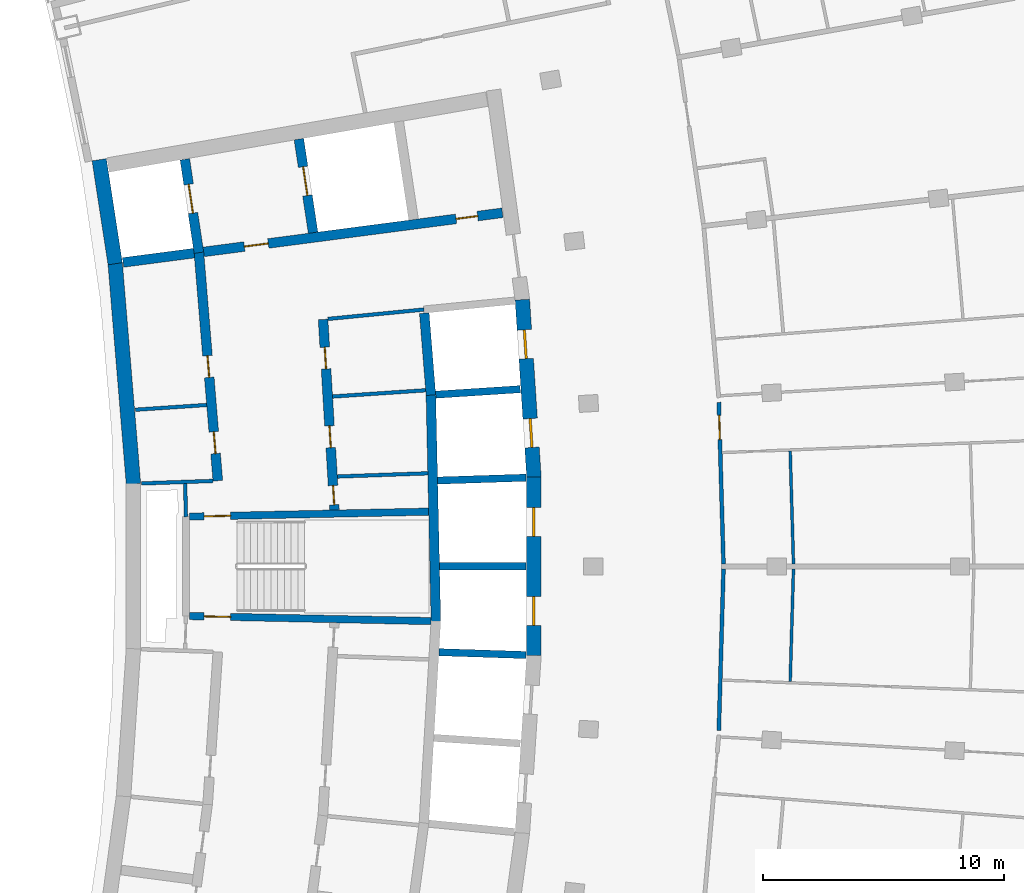
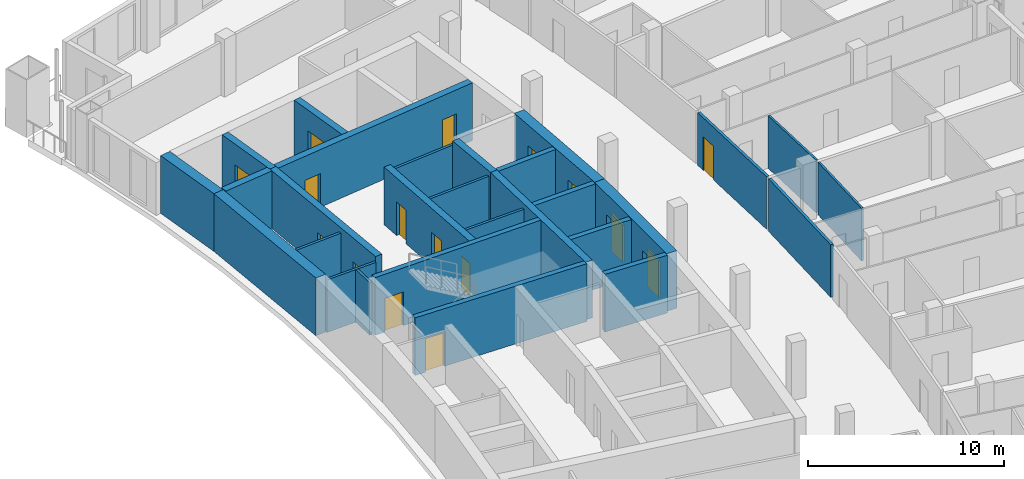
# One storey, part 12 of 19: 28 walls, 16 doors, 16 openings.
"""IFC4 building model written with IfcOpenShell, lengths in metres."""

from ifc_helpers import new_model, si_unit, direction, frame, frame_2d, origin, place, context, subcontext, project, spatial, rectangle, extrude, material, layer, layer_set, type_object, element, fill, save


model = new_model("IFC4")

# Units and contexts
model_context = context("Model", 3, precision=1e-05, world=origin(), true_north=direction((0.0, 1.0)))
body_context = subcontext(model_context, "Body", "Model", "MODEL_VIEW")
ifc_project = project(units=[si_unit("LENGTHUNIT", "METRE"), si_unit("AREAUNIT", "SQUARE_METRE"), si_unit("VOLUMEUNIT", "CUBIC_METRE"), si_unit("PLANEANGLEUNIT", "RADIAN"), si_unit("MASSUNIT", "GRAM", prefix="KILO")], contexts=[model_context])

# Site, building, storey
site_placement = place(None, origin())
site = spatial("IfcSite", under=ifc_project, at=site_placement, CompositionType="ELEMENT")
building_placement = place(site_placement, origin())
building = spatial("IfcBuilding", under=site, at=building_placement, Name="Alderwake Tower", CompositionType="ELEMENT")
storey_placement = place(building_placement, frame((0.0, 0.0, 192.800048828125)))
storey = spatial("IfcBuildingStorey", under=building, at=storey_placement, Name="L47", CompositionType="ELEMENT", Elevation=192.800048828125)

# Walls
ifc_material_1 = material(Name="Gypsum shaft wall system, rated")
ifc_layer_1 = layer(ifc_material_1, 0.14990234375)
ifc_layer_set_1 = layer_set([ifc_layer_1], Name="Core riser partition 150")
wall_type_1 = type_object("IfcWallType", Name="Core riser partition 150", PredefinedType="PARTITIONING", material=ifc_layer_set_1)
wall_1_placement = place(storey_placement, frame((25.191162109375, 64.723388671875, 0.0), z_axis=(0.0, 0.0, 1.0), x_axis=(0.999373256208, 0.035399078746, 0.0)))
element("IfcWall", 1, at=wall_1_placement, inside=storey, type_object=wall_type_1, Name="CW/L47/PR+37_+86", PredefinedType="PARTITIONING", context=body_context, shape_type="SweptSolid", body=[
    extrude(rectangle(XDim=3.751953125, YDim=0.14990234375, at=frame_2d((1.8759765625, 0.0))), origin(), (0.0, 0.0, 1.0), 3.280029296875),
])
ifc_material_2 = material(Name="Gypsum shaft wall system, rated")
ifc_layer_2 = layer(ifc_material_2, 0.14990234375)
ifc_layer_set_2 = layer_set([ifc_layer_2], Name="Core room partition 150")
wall_type_2 = type_object("IfcWallType", Name="Core room partition 150", PredefinedType="PARTITIONING", material=ifc_layer_set_2)
wall_2_placement = place(storey_placement, frame((18.918701171875, 63.05517578125, 0.0), z_axis=(0.0, 0.0, 1.0), x_axis=(-0.027791791559, 0.99961373356, 0.0)))
element("IfcWall", 2, at=wall_2_placement, inside=storey, type_object=wall_type_2, Name="CW/L47/PA+24_+22", PredefinedType="PARTITIONING", context=body_context, shape_type="SweptSolid", body=[
    extrude(rectangle(XDim=1.370361328125, YDim=0.14990234375, at=frame_2d((0.68505859375, 0.0))), origin(), (0.0, 0.0, 1.0), 3.280029296875),
])
wall_3_placement = place(storey_placement, frame((17.0693359375, 64.43603515625, 0.0), z_axis=(0.0, 0.0, 1.0), x_axis=(0.999374945052, 0.03535136775, 0.0)))
element("IfcWall", 3, at=wall_3_placement, inside=storey, type_object=wall_type_2, Name="CW/L47/PR+37_+0", PredefinedType="PARTITIONING", context=body_context, shape_type="SweptSolid", body=[
    extrude(rectangle(XDim=2.9697265625, YDim=0.14990234375, at=frame_2d((1.48486328125, 0.0))), origin(), (0.0, 0.0, 1.0), 3.280029296875),
])
wall_4_placement = place(storey_placement, frame((16.81640625, 67.490478515625, 0.0), z_axis=(0.0, 0.0, 1.0), x_axis=(0.997758859926, 0.066912311566, 0.0)))
element("IfcWall", 4, at=wall_4_placement, inside=storey, type_object=wall_type_2, Name="CW/L47/PR+70_+0", PredefinedType="PARTITIONING", context=body_context, shape_type="SweptSolid", body=[
    extrude(rectangle(XDim=2.96630859375, YDim=0.14990234375, at=frame_2d((1.483154296875, 0.0))), origin(), (0.0, 0.0, 1.0), 3.280029296875),
])
wall_5_placement = place(storey_placement, frame((24.992431640625, 68.038818359375, 0.0), z_axis=(0.0, 0.0, 1.0), x_axis=(0.997760236964, 0.066891774789, 0.0)))
element("IfcWall", 5, at=wall_5_placement, inside=storey, type_object=wall_type_2, Name="CW/L47/PR+70_+86", PredefinedType="PARTITIONING", context=body_context, shape_type="SweptSolid", body=[
    extrude(rectangle(XDim=3.86865234375, YDim=0.14990234375, at=frame_2d((1.934326171875, 0.0))), origin(), (0.0, 0.0, 1.0), 3.280029296875),
])
wall_6_placement = place(storey_placement, frame((24.799560546875, 71.2548828125, 0.0), z_axis=(0.0, 0.0, 1.0), x_axis=(0.995250000627, 0.097352125046, 0.0)))
element("IfcWall", 6, at=wall_6_placement, inside=storey, type_object=wall_type_2, Name="CW/L47/PR+102_+86", PredefinedType="PARTITIONING", context=body_context, shape_type="SweptSolid", body=[
    extrude(rectangle(XDim=4.0, YDim=0.14990234375, at=frame_2d((2.0, 0.0))), origin(), (0.0, 0.0, 1.0), 3.280029296875),
])
ifc_material_3 = material(Name="Concrete C70/85", Category="concrete")
ifc_layer_3 = layer(ifc_material_3, 0.60009765625)
ifc_layer_set_3 = layer_set([ifc_layer_3], Name="Core wall outer 600 C70-85")
wall_type_3 = type_object("IfcWallType", Name="Core wall outer 600 C70-85", PredefinedType="SHEAR", material=ifc_layer_set_3)
wall_7_placement = place(storey_placement, frame((16.740478515625, 64.411376953125, 0.0), z_axis=(0.0, 0.0, 1.0), x_axis=(-0.082614307012, 0.996581595393, 0.0)))
element("IfcWall", 7, at=wall_7_placement, inside=storey, type_object=wall_type_3, Name="Core wall CW.035", PredefinedType="SHEAR", context=body_context, shape_type="SweptSolid", body=[
    extrude(rectangle(XDim=9.184814453125, YDim=0.60009765625, at=frame_2d((4.59228515625, 0.0))), origin(), (0.0, 0.0, 1.0), 3.599853515625),
])
wall_8_placement = place(storey_placement, frame((15.984130859375, 73.54296875, 0.0), z_axis=(0.0, 0.0, 1.0), x_axis=(-0.151922578304, 0.988392396876, 0.0)))
element("IfcWall", 8, at=wall_8_placement, inside=storey, type_object=wall_type_3, Name="Core wall CW.034", PredefinedType="SHEAR", context=body_context, shape_type="SweptSolid", body=[
    extrude(rectangle(XDim=4.361328125, YDim=0.60009765625, at=frame_2d((2.1806640625, 0.0))), origin(), (0.0, 0.0, 1.0), 3.599853515625),
])

# Wall, openings, doors
wall_9_placement = place(storey_placement, frame((33.340087890625, 57.30322265625, 0.0), z_axis=(0.0, 0.0, 1.0), x_axis=(0.0, 1.0, 0.0)))
wall_9 = element("IfcWall", 9, at=wall_9_placement, inside=storey, type_object=wall_type_3, Name="Core wall CW.018", PredefinedType="SHEAR", context=body_context, shape_type="SweptSolid", body=[
    extrude(rectangle(XDim=7.3935546875, YDim=0.60009765625, at=frame_2d((3.69677734375, 0.0))), origin(), (0.0, 0.0, 1.0), 3.599853515625),
])
opening_1_placement = place(wall_9_placement, frame((1.25341796875, 0.0, 0.0)))
opening_1 = element("IfcOpeningElement", 10, at=opening_1_placement, cuts=wall_9, Name="Opening LD-HP3", PredefinedType="OPENING", context=body_context, shape_type="SweptSolid", body=[
    extrude(rectangle(XDim=1.199951171875, YDim=2.300048828125, at=frame_2d((0.60009765625, 1.14990234375))), frame((0.0, 0.31005859375, 0.0), z_axis=(0.0, -1.0, 0.0), x_axis=(1.0, 0.0, 0.0)), (0.0, 0.0, 1.0), 0.6201171875),
])
opening_2_placement = place(wall_9_placement, frame((4.940185546875, 0.0, 0.0)))
opening_2 = element("IfcOpeningElement", 11, at=opening_2_placement, cuts=wall_9, Name="Opening LD-HP4", PredefinedType="OPENING", context=body_context, shape_type="SweptSolid", body=[
    extrude(rectangle(XDim=1.199951171875, YDim=2.300048828125, at=frame_2d((0.60009765625, 1.14990234375))), frame((0.0, 0.31005859375, 0.0), z_axis=(0.0, -1.0, 0.0), x_axis=(1.0, 0.0, 0.0)), (0.0, 0.0, 1.0), 0.6201171875),
])
ifc_material_4 = material(Name="Stainless steel sliding leaf", Category="steel")
door_type_1 = type_object("IfcDoorType", Name="Lift landing door 1200", OperationType="SLIDING_TO_LEFT", PredefinedType="DOOR", material=ifc_material_4)
door_1_placement = place(opening_1_placement, origin())
door_1 = element("IfcDoor", 12, at=door_1_placement, inside=storey, type_object=door_type_1, Name="Lift landing door HP3", OperationType="SLIDING_TO_LEFT", OverallHeight=2.300048828125, OverallWidth=1.199951171875, PredefinedType="DOOR", context=body_context, shape_type="SweptSolid", body=[
    extrude(rectangle(XDim=1.199951171875, YDim=2.300048828125, at=frame_2d((0.60009765625, 1.14990234375))), frame((0.0, 0.050048828125, 0.0), z_axis=(0.0, -1.0, 0.0), x_axis=(1.0, 0.0, 0.0)), (0.0, 0.0, 1.0), 0.10009765625),
])
fill(opening_1, door_1)
door_2_placement = place(opening_2_placement, origin())
door_2 = element("IfcDoor", 13, at=door_2_placement, inside=storey, type_object=door_type_1, Name="Lift landing door HP4", OperationType="SLIDING_TO_LEFT", OverallHeight=2.300048828125, OverallWidth=1.199951171875, PredefinedType="DOOR", context=body_context, shape_type="SweptSolid", body=[
    extrude(rectangle(XDim=1.199951171875, YDim=2.300048828125, at=frame_2d((0.60009765625, 1.14990234375))), frame((0.0, 0.050048828125, 0.0), z_axis=(0.0, -1.0, 0.0), x_axis=(1.0, 0.0, 0.0)), (0.0, 0.0, 1.0), 0.10009765625),
])
fill(opening_2, door_2)

wall_10_placement = place(storey_placement, frame((33.3408203125, 64.67626953125, 0.0), z_axis=(0.0, 0.0, 1.0), x_axis=(-0.065013379938, 0.997884392317, 0.0)))
wall_10 = element("IfcWall", 14, at=wall_10_placement, inside=storey, type_object=wall_type_3, Name="Core wall CW.015", PredefinedType="SHEAR", context=body_context, shape_type="SweptSolid", body=[
    extrude(rectangle(XDim=7.39404296875, YDim=0.60009765625, at=frame_2d((3.697021484375, 0.0))), origin(), (0.0, 0.0, 1.0), 3.599853515625),
])
opening_3_placement = place(wall_10_placement, frame((1.253173828125, 0.0, 0.0)))
opening_3 = element("IfcOpeningElement", 15, at=opening_3_placement, cuts=wall_10, Name="Opening LD-HP5", PredefinedType="OPENING", context=body_context, shape_type="SweptSolid", body=[
    extrude(rectangle(XDim=1.199951171875, YDim=2.300048828125, at=frame_2d((0.60009765625, 1.14990234375))), frame((0.0, 0.31005859375, 0.0), z_axis=(0.0, -1.0, 0.0), x_axis=(1.0, 0.0, 0.0)), (0.0, 0.0, 1.0), 0.6201171875),
])
opening_4_placement = place(wall_10_placement, frame((4.940185546875, 0.0, 0.0)))
opening_4 = element("IfcOpeningElement", 16, at=opening_4_placement, cuts=wall_10, Name="Opening LD-HP6", PredefinedType="OPENING", context=body_context, shape_type="SweptSolid", body=[
    extrude(rectangle(XDim=1.199951171875, YDim=2.300048828125, at=frame_2d((0.60009765625, 1.14990234375))), frame((0.0, 0.31005859375, 0.0), z_axis=(0.0, -1.0, 0.0), x_axis=(1.0, 0.0, 0.0)), (0.0, 0.0, 1.0), 0.6201171875),
])
door_3_placement = place(opening_3_placement, origin())
door_3 = element("IfcDoor", 17, at=door_3_placement, inside=storey, type_object=door_type_1, Name="Lift landing door HP5", OperationType="SLIDING_TO_LEFT", OverallHeight=2.300048828125, OverallWidth=1.199951171875, PredefinedType="DOOR", context=body_context, shape_type="SweptSolid", body=[
    extrude(rectangle(XDim=1.199951171875, YDim=2.300048828125, at=frame_2d((0.60009765625, 1.14990234375))), frame((0.0, 0.050048828125, 0.0), z_axis=(0.0, -1.0, 0.0), x_axis=(1.0, 0.0, 0.0)), (0.0, 0.0, 1.0), 0.10009765625),
])
fill(opening_3, door_3)
door_4_placement = place(opening_4_placement, origin())
door_4 = element("IfcDoor", 18, at=door_4_placement, inside=storey, type_object=door_type_1, Name="Lift landing door HP6", OperationType="SLIDING_TO_LEFT", OverallHeight=2.300048828125, OverallWidth=1.199951171875, PredefinedType="DOOR", context=body_context, shape_type="SweptSolid", body=[
    extrude(rectangle(XDim=1.199951171875, YDim=2.300048828125, at=frame_2d((0.60009765625, 1.14990234375))), frame((0.0, 0.050048828125, 0.0), z_axis=(0.0, -1.0, 0.0), x_axis=(1.0, 0.0, 0.0)), (0.0, 0.0, 1.0), 0.10009765625),
])
fill(opening_4, door_4)

# Walls
ifc_material_5 = material(Name="Concrete C70/85", Category="concrete")
ifc_layer_4 = layer(ifc_material_5, 0.300048828125)
ifc_layer_set_4 = layer_set([ifc_layer_4], Name="Core wall shaft 300 C70-85")
wall_type_4 = type_object("IfcWallType", Name="Core wall shaft 300 C70-85", PredefinedType="SHEAR", material=ifc_layer_set_4)
wall_11_placement = place(storey_placement, frame((29.400634765625, 57.441650390625, 0.0), z_axis=(0.0, 0.0, 1.0), x_axis=(0.999471151072, -0.032517966969, 0.0)))
element("IfcWall", 19, at=wall_11_placement, inside=storey, type_object=wall_type_4, Name="Core wall CW.075", PredefinedType="SHEAR", context=body_context, shape_type="SweptSolid", body=[
    extrude(rectangle(XDim=3.611328125, YDim=0.300048828125, at=frame_2d((1.8056640625, 0.0))), origin(), (0.0, 0.0, 1.0), 3.599853515625),
])
wall_12_placement = place(storey_placement, frame((29.426025390625, 61.0, 0.0), z_axis=(0.0, 0.0, 1.0), x_axis=(1.0, 0.0, 0.0)))
element("IfcWall", 20, at=wall_12_placement, inside=storey, type_object=wall_type_4, Name="Core wall CW.048", PredefinedType="SHEAR", context=body_context, shape_type="SweptSolid", body=[
    extrude(rectangle(XDim=3.583984375, YDim=0.300048828125, at=frame_2d((1.7919921875, 0.0))), origin(), (0.0, 0.0, 1.0), 3.599853515625),
])
wall_13_placement = place(storey_placement, frame((29.347412109375, 64.556396484375, 0.0), z_axis=(0.0, 0.0, 1.0), x_axis=(0.99946918462, 0.032578351638, 0.0)))
element("IfcWall", 21, at=wall_13_placement, inside=storey, type_object=wall_type_4, Name="Core wall CW.058", PredefinedType="SHEAR", context=body_context, shape_type="SweptSolid", body=[
    extrude(rectangle(XDim=3.66455078125, YDim=0.300048828125, at=frame_2d((1.832275390625, 0.0))), origin(), (0.0, 0.0, 1.0), 3.599853515625),
])
wall_14_placement = place(storey_placement, frame((29.268798828125, 68.115478515625, 0.0), z_axis=(0.0, 0.0, 1.0), x_axis=(0.997887366571, 0.064967712281, 0.0)))
element("IfcWall", 22, at=wall_14_placement, inside=storey, type_object=wall_type_4, Name="Core wall CW.061", PredefinedType="SHEAR", context=body_context, shape_type="SweptSolid", body=[
    extrude(rectangle(XDim=3.509765625, YDim=0.300048828125, at=frame_2d((1.7548828125, 0.0))), origin(), (0.0, 0.0, 1.0), 3.599853515625),
])

# Wall, openings, doors
ifc_material_6 = material(Name="Concrete C70/85", Category="concrete")
ifc_layer_5 = layer(ifc_material_6, 0.39990234375)
ifc_layer_set_5 = layer_set([ifc_layer_5], Name="Core wall spine 400 C70-85")
wall_type_5 = type_object("IfcWallType", Name="Core wall spine 400 C70-85", PredefinedType="SHEAR", material=ifc_layer_set_5)
wall_15_placement = place(storey_placement, frame((19.452392578125, 74.014892578125, 0.0), z_axis=(0.0, 0.0, 1.0), x_axis=(0.082628585297, -0.996580411654, 0.0)))
wall_15 = element("IfcWall", 23, at=wall_15_placement, inside=storey, type_object=wall_type_5, Name="Core wall CW.031", PredefinedType="SHEAR", context=body_context, shape_type="SweptSolid", body=[
    extrude(rectangle(XDim=9.499267578125, YDim=0.39990234375, at=frame_2d((4.74951171875, 0.0))), origin(), (0.0, 0.0, 1.0), 3.599853515625),
])
opening_5_placement = place(wall_15_placement, frame((7.468017578125, 0.0, 0.0)))
opening_5 = element("IfcOpeningElement", 24, at=opening_5_placement, cuts=wall_15, Name="Opening C053", PredefinedType="OPENING", context=body_context, shape_type="SweptSolid", body=[
    extrude(rectangle(XDim=0.89990234375, YDim=2.10009765625, at=frame_2d((0.449951171875, 1.050048828125))), frame((0.0, 0.2099609375, 0.0), z_axis=(0.0, -1.0, 0.0), x_axis=(1.0, 0.0, 0.0)), (0.0, 0.0, 1.0), 0.419921875),
])
opening_6_placement = place(wall_15_placement, frame((4.30322265625, 0.0, 0.0)))
opening_6 = element("IfcOpeningElement", 25, at=opening_6_placement, cuts=wall_15, Name="Opening C054", PredefinedType="OPENING", context=body_context, shape_type="SweptSolid", body=[
    extrude(rectangle(XDim=0.89990234375, YDim=2.10009765625, at=frame_2d((0.449951171875, 1.050048828125))), frame((0.0, 0.2099609375, 0.0), z_axis=(0.0, -1.0, 0.0), x_axis=(1.0, 0.0, 0.0)), (0.0, 0.0, 1.0), 0.419921875),
])
ifc_material_7 = material(Name="Painted steel leaf", Category="steel")
door_type_2 = type_object("IfcDoorType", Name="Core room door 900", OperationType="SINGLE_SWING_LEFT", PredefinedType="DOOR", material=ifc_material_7)
door_5_placement = place(opening_5_placement, origin())
door_5 = element("IfcDoor", 26, at=door_5_placement, inside=storey, type_object=door_type_2, Name="Room door", OperationType="SINGLE_SWING_LEFT", OverallHeight=2.10009765625, OverallWidth=0.89990234375, PredefinedType="DOOR", context=body_context, shape_type="SweptSolid", body=[
    extrude(rectangle(XDim=0.89990234375, YDim=2.10009765625, at=frame_2d((0.449951171875, 1.050048828125))), frame((0.0, 0.02490234375, 0.0), z_axis=(0.0, -1.0, 0.0), x_axis=(1.0, 0.0, 0.0)), (0.0, 0.0, 1.0), 0.050048828125),
])
fill(opening_5, door_5)
door_6_placement = place(opening_6_placement, origin())
door_6 = element("IfcDoor", 27, at=door_6_placement, inside=storey, type_object=door_type_2, Name="Room door", OperationType="SINGLE_SWING_RIGHT", OverallHeight=2.10009765625, OverallWidth=0.89990234375, PredefinedType="DOOR", context=body_context, shape_type="SweptSolid", body=[
    extrude(rectangle(XDim=0.89990234375, YDim=2.10009765625, at=frame_2d((0.449951171875, 1.050048828125))), frame((0.0, 0.02490234375, 0.0), z_axis=(0.0, -1.0, 0.0), x_axis=(1.0, 0.0, 0.0)), (0.0, 0.0, 1.0), 0.050048828125),
])
fill(opening_6, door_6)

# Wall, opening, door
wall_16_placement = place(storey_placement, frame((19.4541015625, 74.00048828125, 0.0), z_axis=(0.0, 0.0, 1.0), x_axis=(-0.148977743105, 0.98884054936, 0.0)))
wall_16 = element("IfcWall", 28, at=wall_16_placement, inside=storey, type_object=wall_type_5, Name="Core wall CW.030", PredefinedType="SHEAR", context=body_context, shape_type="SweptSolid", body=[
    extrude(rectangle(XDim=3.9150390625, YDim=0.39990234375, at=frame_2d((1.95751953125, 0.0))), origin(), (0.0, 0.0, 1.0), 3.599853515625),
])
opening_7_placement = place(wall_16_placement, frame((1.6611328125, 0.0, 0.0)))
opening_7 = element("IfcOpeningElement", 29, at=opening_7_placement, cuts=wall_16, Name="Opening LD-FF1", PredefinedType="OPENING", context=body_context, shape_type="SweptSolid", body=[
    extrude(rectangle(XDim=1.199951171875, YDim=2.300048828125, at=frame_2d((0.60009765625, 1.14990234375))), frame((0.0, 0.2099609375, 0.0), z_axis=(0.0, -1.0, 0.0), x_axis=(1.0, 0.0, 0.0)), (0.0, 0.0, 1.0), 0.419921875),
])
door_7_placement = place(opening_7_placement, origin())
door_7 = element("IfcDoor", 30, at=door_7_placement, inside=storey, type_object=door_type_1, Name="Lift landing door FF1", OperationType="SLIDING_TO_LEFT", OverallHeight=2.300048828125, OverallWidth=1.199951171875, PredefinedType="DOOR", context=body_context, shape_type="SweptSolid", body=[
    extrude(rectangle(XDim=1.199951171875, YDim=2.300048828125, at=frame_2d((0.60009765625, 1.14990234375))), frame((0.0, 0.02490234375, 0.0), z_axis=(0.0, -1.0, 0.0), x_axis=(1.0, 0.0, 0.0)), (0.0, 0.0, 1.0), 0.050048828125),
])
fill(opening_7, door_7)

# Wall, openings, doors
wall_17_placement = place(storey_placement, frame((25.073974609375, 63.335693359375, 0.0), z_axis=(0.0, 0.0, 1.0), x_axis=(-0.059848641072, 0.998207463487, 0.0)))
wall_17 = element("IfcWall", 31, at=wall_17_placement, inside=storey, type_object=wall_type_5, Name="Core wall CW.045", PredefinedType="SHEAR", context=body_context, shape_type="SweptSolid", body=[
    extrude(rectangle(XDim=7.913818359375, YDim=0.39990234375, at=frame_2d((3.95703125, 0.0))), origin(), (0.0, 0.0, 1.0), 3.599853515625),
])
opening_8_placement = place(wall_17_placement, frame((0.216064453125, 0.0, 0.0)))
opening_8 = element("IfcOpeningElement", 32, at=opening_8_placement, cuts=wall_17, Name="Opening C005", PredefinedType="OPENING", context=body_context, shape_type="SweptSolid", body=[
    extrude(rectangle(XDim=0.800048828125, YDim=2.0, at=frame_2d((0.39990234375, 1.0))), frame((0.0, 0.2099609375, 0.0), z_axis=(0.0, -1.0, 0.0), x_axis=(1.0, 0.0, 0.0)), (0.0, 0.0, 1.0), 0.419921875),
])
opening_9_placement = place(wall_17_placement, frame((5.856201171875, 0.0, 0.0)))
opening_9 = element("IfcOpeningElement", 33, at=opening_9_placement, cuts=wall_17, Name="Opening C023", PredefinedType="OPENING", context=body_context, shape_type="SweptSolid", body=[
    extrude(rectangle(XDim=0.89990234375, YDim=2.10009765625, at=frame_2d((0.449951171875, 1.050048828125))), frame((0.0, 0.2099609375, 0.0), z_axis=(0.0, -1.0, 0.0), x_axis=(1.0, 0.0, 0.0)), (0.0, 0.0, 1.0), 0.419921875),
])
opening_10_placement = place(wall_17_placement, frame((2.590087890625, 0.0, 0.0)))
opening_10 = element("IfcOpeningElement", 34, at=opening_10_placement, cuts=wall_17, Name="Opening C059", PredefinedType="OPENING", context=body_context, shape_type="SweptSolid", body=[
    extrude(rectangle(XDim=0.89990234375, YDim=2.10009765625, at=frame_2d((0.449951171875, 1.050048828125))), frame((0.0, 0.2099609375, 0.0), z_axis=(0.0, -1.0, 0.0), x_axis=(1.0, 0.0, 0.0)), (0.0, 0.0, 1.0), 0.419921875),
])
door_8_placement = place(opening_9_placement, origin())
door_8 = element("IfcDoor", 35, at=door_8_placement, inside=storey, type_object=door_type_2, Name="Room door", OperationType="SINGLE_SWING_RIGHT", OverallHeight=2.10009765625, OverallWidth=0.89990234375, PredefinedType="DOOR", context=body_context, shape_type="SweptSolid", body=[
    extrude(rectangle(XDim=0.89990234375, YDim=2.10009765625, at=frame_2d((0.449951171875, 1.050048828125))), frame((0.0, 0.02490234375, 0.0), z_axis=(0.0, -1.0, 0.0), x_axis=(1.0, 0.0, 0.0)), (0.0, 0.0, 1.0), 0.050048828125),
])
fill(opening_9, door_8)
door_9_placement = place(opening_10_placement, origin())
door_9 = element("IfcDoor", 36, at=door_9_placement, inside=storey, type_object=door_type_2, Name="Room door", OperationType="SINGLE_SWING_LEFT", OverallHeight=2.10009765625, OverallWidth=0.89990234375, PredefinedType="DOOR", context=body_context, shape_type="SweptSolid", body=[
    extrude(rectangle(XDim=0.89990234375, YDim=2.10009765625, at=frame_2d((0.449951171875, 1.050048828125))), frame((0.0, 0.02490234375, 0.0), z_axis=(0.0, -1.0, 0.0), x_axis=(1.0, 0.0, 0.0)), (0.0, 0.0, 1.0), 0.050048828125),
])
fill(opening_10, door_9)
ifc_material_8 = material(Name="Painted steel leaf, rated", Category="steel")
door_type_3 = type_object("IfcDoorType", Name="Riser access door 800", OperationType="SINGLE_SWING_LEFT", PredefinedType="DOOR", material=ifc_material_8)
door_10_placement = place(opening_8_placement, origin())
door_10 = element("IfcDoor", 37, at=door_10_placement, inside=storey, type_object=door_type_3, Name="Riser access door", OperationType="SINGLE_SWING_LEFT", OverallHeight=2.0, OverallWidth=0.800048828125, PredefinedType="DOOR", context=body_context, shape_type="SweptSolid", body=[
    extrude(rectangle(XDim=0.800048828125, YDim=2.0, at=frame_2d((0.39990234375, 1.0))), frame((0.0, 0.02490234375, 0.0), z_axis=(0.0, -1.0, 0.0), x_axis=(1.0, 0.0, 0.0)), (0.0, 0.0, 1.0), 0.050048828125),
])
fill(opening_8, door_10)

# Wall, opening, door
wall_18_placement = place(storey_placement, frame((24.186279296875, 74.82861328125, 0.0), z_axis=(0.0, 0.0, 1.0), x_axis=(-0.150092938275, 0.988671891924, 0.0)))
wall_18 = element("IfcWall", 38, at=wall_18_placement, inside=storey, type_object=wall_type_5, Name="Core wall CW.044", PredefinedType="SHEAR", context=body_context, shape_type="SweptSolid", body=[
    extrude(rectangle(XDim=3.92333984375, YDim=0.39990234375, at=frame_2d((1.961669921875, 0.0))), origin(), (0.0, 0.0, 1.0), 3.599853515625),
])
opening_11_placement = place(wall_18_placement, frame((1.561767578125, 0.0, 0.0)))
opening_11 = element("IfcOpeningElement", 39, at=opening_11_placement, cuts=wall_18, Name="Opening LD-FF2", PredefinedType="OPENING", context=body_context, shape_type="SweptSolid", body=[
    extrude(rectangle(XDim=1.199951171875, YDim=2.300048828125, at=frame_2d((0.60009765625, 1.14990234375))), frame((0.0, 0.2099609375, 0.0), z_axis=(0.0, -1.0, 0.0), x_axis=(1.0, 0.0, 0.0)), (0.0, 0.0, 1.0), 0.419921875),
])
door_11_placement = place(opening_11_placement, origin())
door_11 = element("IfcDoor", 40, at=door_11_placement, inside=storey, type_object=door_type_1, Name="Lift landing door FF2", OperationType="SLIDING_TO_LEFT", OverallHeight=2.300048828125, OverallWidth=1.199951171875, PredefinedType="DOOR", context=body_context, shape_type="SweptSolid", body=[
    extrude(rectangle(XDim=1.199951171875, YDim=2.300048828125, at=frame_2d((0.60009765625, 1.14990234375))), frame((0.0, 0.02490234375, 0.0), z_axis=(0.0, -1.0, 0.0), x_axis=(1.0, 0.0, 0.0)), (0.0, 0.0, 1.0), 0.050048828125),
])
fill(opening_11, door_11)

# Walls
wall_19_placement = place(storey_placement, frame((29.276611328125, 58.71826171875, 0.0), z_axis=(0.0, 0.0, 1.0), x_axis=(-0.022119171053, 0.999755341207, 0.0)))
element("IfcWall", 41, at=wall_19_placement, inside=storey, type_object=wall_type_5, Name="Core wall CW.007", PredefinedType="SHEAR", context=body_context, shape_type="SweptSolid", body=[
    extrude(rectangle(XDim=9.392822265625, YDim=0.39990234375, at=frame_2d((4.6962890625, 0.0))), origin(), (0.0, 0.0, 1.0), 3.599853515625),
])
wall_20_placement = place(storey_placement, frame((29.069580078125, 68.09619140625, 0.0), z_axis=(0.0, 0.0, 1.0), x_axis=(-0.080544811251, 0.996750988653, 0.0)))
element("IfcWall", 42, at=wall_20_placement, inside=storey, type_object=wall_type_5, Name="Core wall CW.003", PredefinedType="SHEAR", context=body_context, shape_type="SweptSolid", body=[
    extrude(rectangle(XDim=3.409912109375, YDim=0.39990234375, at=frame_2d((1.705078125, 0.0))), origin(), (0.0, 0.0, 1.0), 3.599853515625),
])
wall_21_placement = place(storey_placement, frame((16.31005859375, 73.5966796875, 0.0), z_axis=(0.0, 0.0, 1.0), x_axis=(0.99155863891, 0.12965903595, 0.0)))
element("IfcWall", 43, at=wall_21_placement, inside=storey, type_object=wall_type_5, Name="Core wall CW.051", PredefinedType="SHEAR", context=body_context, shape_type="SweptSolid", body=[
    extrude(rectangle(XDim=2.969482421875, YDim=0.39990234375, at=frame_2d((1.48486328125, 0.0))), origin(), (0.0, 0.0, 1.0), 3.599853515625),
])

# Wall, openings, doors
wall_22_placement = place(storey_placement, frame((32.032958984375, 75.653076171875, 0.0), z_axis=(0.0, 0.0, 1.0), x_axis=(-0.991554886316, -0.129687730428, 0.0)))
wall_22 = element("IfcWall", 44, at=wall_22_placement, inside=storey, type_object=wall_type_5, Name="Core wall CW.052", PredefinedType="SHEAR", context=body_context, shape_type="SweptSolid", body=[
    extrude(rectangle(XDim=12.48681640625, YDim=0.39990234375, at=frame_2d((6.243408203125, 0.0))), origin(), (0.0, 0.0, 1.0), 3.599853515625),
])
opening_12_placement = place(wall_22_placement, frame((9.787109375, 0.0, 0.0)))
opening_12 = element("IfcOpeningElement", 45, at=opening_12_placement, cuts=wall_22, Name="Opening C002", PredefinedType="OPENING", context=body_context, shape_type="SweptSolid", body=[
    extrude(rectangle(XDim=1.0, YDim=2.10009765625, at=frame_2d((0.5, 1.050048828125))), frame((0.0, 0.2099609375, 0.0), z_axis=(0.0, -1.0, 0.0), x_axis=(1.0, 0.0, 0.0)), (0.0, 0.0, 1.0), 0.419921875),
])
opening_13_placement = place(wall_22_placement, frame((1.037109375, 0.0, 0.0)))
opening_13 = element("IfcOpeningElement", 46, at=opening_13_placement, cuts=wall_22, Name="Opening C020", PredefinedType="OPENING", context=body_context, shape_type="SweptSolid", body=[
    extrude(rectangle(XDim=0.89990234375, YDim=2.10009765625, at=frame_2d((0.449951171875, 1.050048828125))), frame((0.0, 0.2099609375, 0.0), z_axis=(0.0, -1.0, 0.0), x_axis=(1.0, 0.0, 0.0)), (0.0, 0.0, 1.0), 0.419921875),
])
door_12_placement = place(opening_13_placement, origin())
door_12 = element("IfcDoor", 47, at=door_12_placement, inside=storey, type_object=door_type_2, Name="Room door", OperationType="SINGLE_SWING_LEFT", OverallHeight=2.10009765625, OverallWidth=0.89990234375, PredefinedType="DOOR", context=body_context, shape_type="SweptSolid", body=[
    extrude(rectangle(XDim=0.89990234375, YDim=2.10009765625, at=frame_2d((0.449951171875, 1.050048828125))), frame((0.0, 0.02490234375, 0.0), z_axis=(0.0, -1.0, 0.0), x_axis=(1.0, 0.0, 0.0)), (0.0, 0.0, 1.0), 0.050048828125),
])
fill(opening_13, door_12)
ifc_material_9 = material(Name="Steel-framed fire door leaf", Category="steel")
door_type_4 = type_object("IfcDoorType", Name="Firefighting lobby door 1000 fire-rated", OperationType="SINGLE_SWING_LEFT", PredefinedType="DOOR", material=ifc_material_9)
door_13_placement = place(opening_12_placement, origin())
door_13 = element("IfcDoor", 48, at=door_13_placement, inside=storey, type_object=door_type_4, Name="Firefighting lobby door", OperationType="SINGLE_SWING_RIGHT", OverallHeight=2.10009765625, OverallWidth=1.0, PredefinedType="DOOR", context=body_context, shape_type="SweptSolid", body=[
    extrude(rectangle(XDim=1.0, YDim=2.10009765625, at=frame_2d((0.5, 1.050048828125))), frame((0.0, 0.02490234375, 0.0), z_axis=(0.0, -1.0, 0.0), x_axis=(1.0, 0.0, 0.0)), (0.0, 0.0, 1.0), 0.050048828125),
])
fill(opening_12, door_13)

# Wall, opening, door
ifc_material_10 = material(Name="Concrete C70/85", Category="concrete")
ifc_layer_6 = layer(ifc_material_10, 0.300048828125)
ifc_layer_set_6 = layer_set([ifc_layer_6], Name="Core wall stair enclosure 300 C70-85")
wall_type_6 = type_object("IfcWallType", Name="Core wall stair enclosure 300 C70-85", PredefinedType="SHEAR", material=ifc_layer_set_6)
wall_23_placement = place(storey_placement, frame((29.076416015625, 58.73095703125, 0.0), z_axis=(0.0, 0.0, 1.0), x_axis=(-0.99978356433, 0.020804434533, 0.0)))
wall_23 = element("IfcWall", 49, at=wall_23_placement, inside=storey, type_object=wall_type_6, Name="Core wall CW.074", PredefinedType="SHEAR", context=body_context, shape_type="SweptSolid", body=[
    extrude(rectangle(XDim=10.010009765625, YDim=0.300048828125, at=frame_2d((5.0048828125, 0.0))), origin(), (0.0, 0.0, 1.0), 3.599853515625),
])
opening_14_placement = place(wall_23_placement, frame((8.309814453125, 0.0, 0.0)))
opening_14 = element("IfcOpeningElement", 50, at=opening_14_placement, cuts=wall_23, Name="Opening C063", PredefinedType="OPENING", context=body_context, shape_type="SweptSolid", body=[
    extrude(rectangle(XDim=1.10009765625, YDim=2.10009765625, at=frame_2d((0.550048828125, 1.050048828125))), frame((0.0, 0.159912109375, 0.0), z_axis=(0.0, -1.0, 0.0), x_axis=(1.0, 0.0, 0.0)), (0.0, 0.0, 1.0), 0.320068359375),
])
ifc_material_11 = material(Name="Steel-framed fire door leaf", Category="steel")
door_type_5 = type_object("IfcDoorType", Name="Core stair door 1100 fire-rated", OperationType="SINGLE_SWING_LEFT", PredefinedType="DOOR", material=ifc_material_11)
door_14_placement = place(opening_14_placement, origin())
door_14 = element("IfcDoor", 51, at=door_14_placement, inside=storey, type_object=door_type_5, Name="Stair door", OperationType="SINGLE_SWING_RIGHT", OverallHeight=2.10009765625, OverallWidth=1.10009765625, PredefinedType="DOOR", context=body_context, shape_type="SweptSolid", body=[
    extrude(rectangle(XDim=1.10009765625, YDim=2.10009765625, at=frame_2d((0.550048828125, 1.050048828125))), frame((0.0, 0.02490234375, 0.0), z_axis=(0.0, -1.0, 0.0), x_axis=(1.0, 0.0, 0.0)), (0.0, 0.0, 1.0), 0.050048828125),
])
fill(opening_14, door_14)

wall_24_placement = place(storey_placement, frame((19.068603515625, 63.060791015625, 0.0), z_axis=(0.0, 0.0, 1.0), x_axis=(0.999783782948, 0.020793925895, 0.0)))
wall_24 = element("IfcWall", 52, at=wall_24_placement, inside=storey, type_object=wall_type_6, Name="Core wall CW.057", PredefinedType="SHEAR", context=body_context, shape_type="SweptSolid", body=[
    extrude(rectangle(XDim=9.909423828125, YDim=0.300048828125, at=frame_2d((4.95458984375, 0.0))), origin(), (0.0, 0.0, 1.0), 3.599853515625),
])
opening_15_placement = place(wall_24_placement, frame((0.60009765625, 0.0, 0.0)))
opening_15 = element("IfcOpeningElement", 53, at=opening_15_placement, cuts=wall_24, Name="Opening C064", PredefinedType="OPENING", context=body_context, shape_type="SweptSolid", body=[
    extrude(rectangle(XDim=1.10009765625, YDim=2.10009765625, at=frame_2d((0.550048828125, 1.050048828125))), frame((0.0, 0.159912109375, 0.0), z_axis=(0.0, -1.0, 0.0), x_axis=(1.0, 0.0, 0.0)), (0.0, 0.0, 1.0), 0.320068359375),
])
door_15_placement = place(opening_15_placement, origin())
door_15 = element("IfcDoor", 54, at=door_15_placement, inside=storey, type_object=door_type_5, Name="Stair door", OperationType="SINGLE_SWING_LEFT", OverallHeight=2.10009765625, OverallWidth=1.10009765625, PredefinedType="DOOR", context=body_context, shape_type="SweptSolid", body=[
    extrude(rectangle(XDim=1.10009765625, YDim=2.10009765625, at=frame_2d((0.550048828125, 1.050048828125))), frame((0.0, 0.02490234375, 0.0), z_axis=(0.0, -1.0, 0.0), x_axis=(1.0, 0.0, 0.0)), (0.0, 0.0, 1.0), 0.050048828125),
])
fill(opening_15, door_15)

# Wall
ifc_material_12 = material(Name="Gypsum board on metal studs, rated")
ifc_layer_7 = layer(ifc_material_12, 0.159912109375)
ifc_layer_set_7 = layer_set([ifc_layer_7], Name="Corridor wall 160")
wall_type_7 = type_object("IfcWallType", Name="Corridor wall 160", PredefinedType="PARTITIONING", material=ifc_layer_set_7)
wall_25_placement = place(storey_placement, frame((41.002685546875, 54.20068359375, 0.0), z_axis=(0.0, 0.0, 1.0), x_axis=(0.028855161601, 0.999583603131, 0.0)))
element("IfcWall", 55, at=wall_25_placement, inside=storey, type_object=wall_type_7, Name="WL/L47/W25", PredefinedType="PARTITIONING", context=body_context, shape_type="SweptSolid", body=[
    extrude(rectangle(XDim=6.700927734375, YDim=0.159912109375, at=frame_2d((3.3505859375, 0.0))), origin(), (0.0, 0.0, 1.0), 3.280029296875),
])

# Wall, opening, door
wall_26_placement = place(storey_placement, frame((41.002685546875, 67.80029296875, 0.0), z_axis=(0.0, 0.0, 1.0), x_axis=(0.0288425569, -0.999583966914, 0.0)))
wall_26 = element("IfcWall", 56, at=wall_26_placement, inside=storey, type_object=wall_type_7, Name="WL/L47/W27", PredefinedType="PARTITIONING", context=body_context, shape_type="SweptSolid", body=[
    extrude(rectangle(XDim=6.703857421875, YDim=0.159912109375, at=frame_2d((3.35205078125, 0.0))), origin(), (0.0, 0.0, 1.0), 3.280029296875),
])
opening_16_placement = place(wall_26_placement, frame((0.54541015625, 0.0, 0.0)))
opening_16 = element("IfcOpeningElement", 57, at=opening_16_placement, cuts=wall_26, Name="Opening R13-U05.2", PredefinedType="OPENING", context=body_context, shape_type="SweptSolid", body=[
    extrude(rectangle(XDim=1.0, YDim=2.10009765625, at=frame_2d((0.5, 1.050048828125))), frame((0.0, 0.08984375, 0.0), z_axis=(0.0, -1.0, 0.0), x_axis=(1.0, 0.0, 0.0)), (0.0, 0.0, 1.0), 0.179931640625),
])
ifc_material_13 = material(Name="Solid timber leaf in steel frame", Category="steel")
door_type_6 = type_object("IfcDoorType", Name="Flat entrance door 1000 fire-rated", OperationType="SINGLE_SWING_LEFT", PredefinedType="DOOR", material=ifc_material_13)
door_16_placement = place(opening_16_placement, origin())
door_16 = element("IfcDoor", 58, at=door_16_placement, inside=storey, type_object=door_type_6, Name="DR/L47/U05.2", OperationType="SINGLE_SWING_LEFT", OverallHeight=2.10009765625, OverallWidth=1.0, PredefinedType="DOOR", context=body_context, shape_type="SweptSolid", body=[
    extrude(rectangle(XDim=1.0, YDim=2.10009765625, at=frame_2d((0.5, 1.050048828125))), frame((0.0, 0.02490234375, 0.0), z_axis=(0.0, -1.0, 0.0), x_axis=(1.0, 0.0, 0.0)), (0.0, 0.0, 1.0), 0.050048828125),
])
fill(opening_16, door_16)

# Walls
ifc_material_14 = material(Name="Moisture resistant gypsum board on metal studs")
ifc_layer_8 = layer(ifc_material_14, 0.1201171875)
ifc_layer_set_8 = layer_set([ifc_layer_8], Name="Wet room partition 120")
wall_type_8 = type_object("IfcWallType", Name="Wet room partition 120", PredefinedType="PARTITIONING", material=ifc_layer_set_8)
wall_27_placement = place(storey_placement, frame((43.96044921875, 56.22802734375, 0.0), z_axis=(0.0, 0.0, 1.0), x_axis=(0.029257801765, 0.999571898883, 0.0)))
element("IfcWall", 59, at=wall_27_placement, inside=storey, type_object=wall_type_8, Name="WL/L47/W40", PredefinedType="PARTITIONING", context=body_context, shape_type="SweptSolid", body=[
    extrude(rectangle(XDim=4.6728515625, YDim=0.1201171875, at=frame_2d((2.33642578125, 0.0))), origin(), (0.0, 0.0, 1.0), 3.280029296875),
])
wall_28_placement = place(storey_placement, frame((44.09716796875, 61.09912109375, 0.0), z_axis=(0.0, 0.0, 1.0), x_axis=(-0.029239477833, 0.999572435062, 0.0)))
element("IfcWall", 60, at=wall_28_placement, inside=storey, type_object=wall_type_8, Name="WL/L47/W41", PredefinedType="PARTITIONING", context=body_context, shape_type="SweptSolid", body=[
    extrude(rectangle(XDim=4.67578125, YDim=0.1201171875, at=frame_2d((2.337890625, 0.0))), origin(), (0.0, 0.0, 1.0), 3.280029296875),
])

save(model, "model.ifc")
